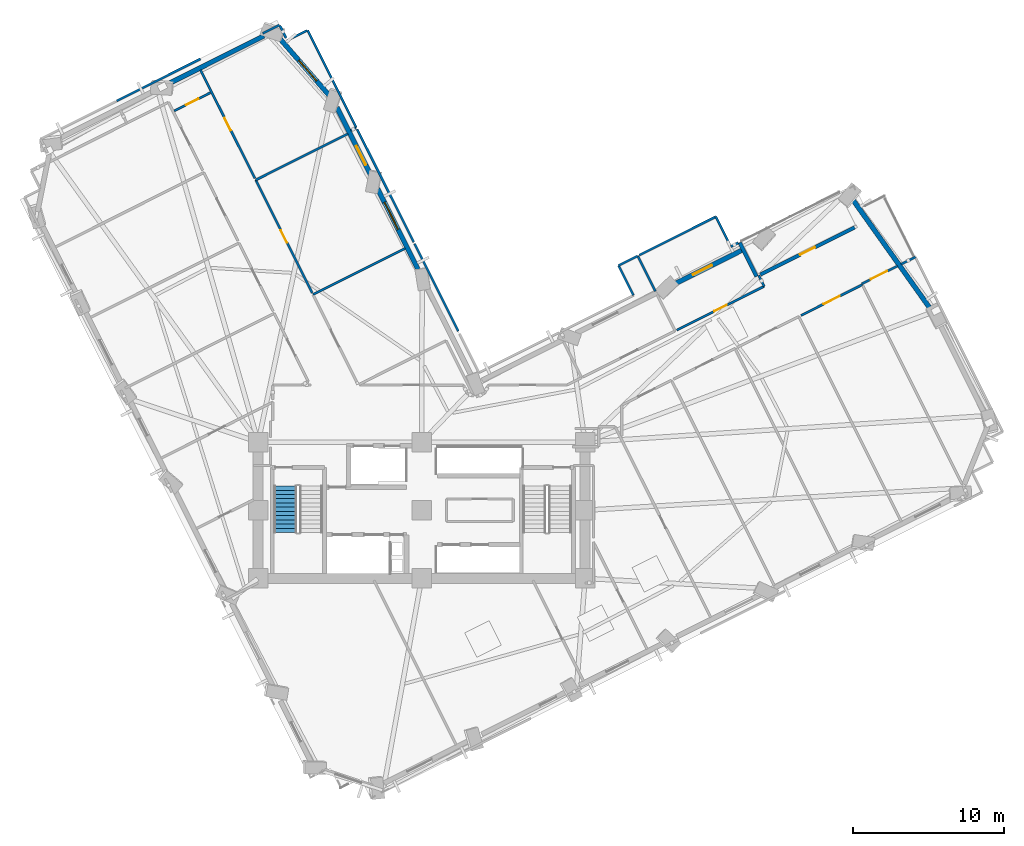
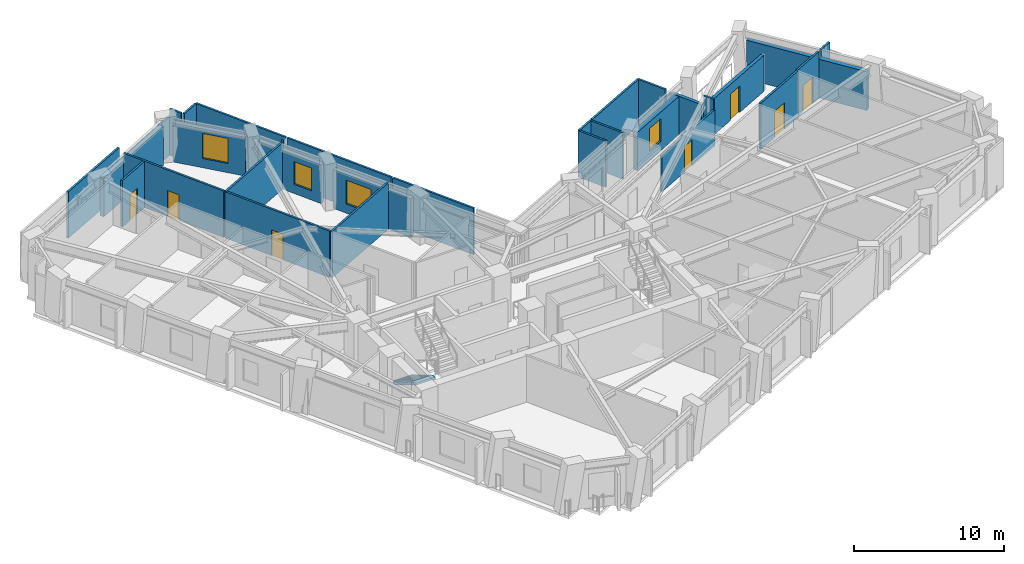
# One storey, part 11 of 16: 32 walls, 7 doors, 4 windows, 1 stair flight, 11 openings, 1 element without a shape of its own.
"""IFC4 building model written with IfcOpenShell, lengths in metres."""

from ifc_helpers import new_model, si_unit, direction, frame, frame_2d, origin, place, context, subcontext, project, spatial, polyline, rectangle, outline, extrude, material, layer, layer_set, type_object, element, fill, aggregate, save


model = new_model("IFC4")

# Units and contexts
model_context = context("Model", 3, precision=1e-05, world=origin(), true_north=direction((0.0, 1.0)))
body_context = subcontext(model_context, "Body", "Model", "MODEL_VIEW")
ifc_project = project(units=[si_unit("LENGTHUNIT", "METRE"), si_unit("AREAUNIT", "SQUARE_METRE"), si_unit("VOLUMEUNIT", "CUBIC_METRE"), si_unit("PLANEANGLEUNIT", "RADIAN"), si_unit("MASSUNIT", "GRAM", prefix="KILO")], contexts=[model_context])

# Site, building, storey
site_placement = place(None, origin())
site = spatial("IfcSite", under=ifc_project, at=site_placement, CompositionType="ELEMENT")
building_placement = place(site_placement, origin())
building = spatial("IfcBuilding", under=site, at=building_placement, Name="Gaonmaruhae Medical Tower", CompositionType="ELEMENT")
storey_placement = place(building_placement, frame((0.0, 0.0, 136.39990234375)))
storey = spatial("IfcBuildingStorey", under=building, at=storey_placement, Name="L32", CompositionType="ELEMENT", Elevation=136.39990234375)

# Wall, opening, door
ifc_material_1 = material(Name="Precast concrete C45/55", Category="concrete")
ifc_layer_1 = layer(ifc_material_1, 0.239990234375)
ifc_layer_set_1 = layer_set([ifc_layer_1], Name="Precast concrete C45/55")
wall_type_1 = type_object("IfcWallType", Name="EW-240 Ribbon & Shelter Insulated Precast Wall", PredefinedType="SOLIDWALL", material=ifc_layer_set_1)
wall_1_placement = place(storey_placement, frame((47.1845703125, 27.8671875, 0.0), z_axis=(0.0, 0.0, 1.0), x_axis=(0.894146388343, 0.447774760581, 0.0)))
wall_1 = element("IfcWall", 1, at=wall_1_placement, inside=storey, type_object=wall_type_1, Name="L32 Recessed Terrace Enclosure Wall TERB", PredefinedType="SOLIDWALL", context=body_context, shape_type="SweptSolid", body=[
    extrude(rectangle(XDim=6.9599609375, YDim=0.239990234375, at=frame_2d((3.47998046875, 0.0))), origin(), (0.0, 0.0, 1.0), 2.945068359375),
])
opening_1_placement = place(wall_1_placement, frame((2.929931640625, 0.0, 0.0)))
opening_1 = element("IfcOpeningElement", 2, at=opening_1_placement, cuts=wall_1, Name="Opening TD-01", PredefinedType="OPENING", context=body_context, shape_type="SweptSolid", body=[
    extrude(rectangle(XDim=1.10009765625, YDim=2.14990234375, at=frame_2d((0.550048828125, 1.074951171875))), frame((0.0, 0.1298828125, 0.0), z_axis=(0.0, -1.0, 0.0), x_axis=(1.0, 0.0, 0.0)), (0.0, 0.0, 1.0), 0.260009765625),
])
ifc_material_2 = material(Name="Anodised aluminium and toughened safety glass", Category="aluminium")
door_type_1 = type_object("IfcDoorType", Name="TD-01 Terrace & Sky Garden Glazed Door 1100x2150", OperationType="NOTDEFINED", PredefinedType="DOOR", material=ifc_material_2)
door_1_placement = place(opening_1_placement, origin())
door_1 = element("IfcDoor", 3, at=door_1_placement, inside=storey, type_object=door_type_1, Name="L32 Outdoor Terrace Access Door SLB-L32-TER", OperationType="SINGLE_SWING_RIGHT", OverallHeight=2.14990234375, OverallWidth=1.10009765625, PredefinedType="DOOR", context=body_context, shape_type="SweptSolid", body=[
    extrude(rectangle(XDim=1.10009765625, YDim=2.14990234375, at=frame_2d((0.550048828125, 1.074951171875))), frame((0.0, 0.02490234375, 0.0), z_axis=(0.0, -1.0, 0.0), x_axis=(1.0, 0.0, 0.0)), (0.0, 0.0, 1.0), 0.050048828125),
])
fill(opening_1, door_1)

# Walls
wall_2_placement = place(storey_placement, frame((45.814697265625, 29.977294921875, 0.0), z_axis=(0.0, 0.0, 1.0), x_axis=(0.447760394829, -0.894153582346, 0.0)))
element("IfcWall", 4, at=wall_2_placement, inside=storey, type_object=wall_type_1, Name="L32 Recessed Terrace Enclosure Wall TERL", PredefinedType="SOLIDWALL", context=body_context, shape_type="SweptSolid", body=[
    extrude(rectangle(XDim=2.5, YDim=0.239990234375, at=frame_2d((1.25, 0.0))), origin(), (0.0, 0.0, 1.0), 3.1650390625),
])
ifc_layer_2 = layer(ifc_material_1, 0.320068359375)
ifc_layer_set_2 = layer_set([ifc_layer_2], Name="Precast concrete C45/55")
wall_type_2 = type_object("IfcWallType", Name="EW-320 Lower Precast Masonry-Frame Facade Wall", PredefinedType="SOLIDWALL", material=ifc_layer_set_2)
wall_3_placement = place(storey_placement, frame((53.302978515625, 32.7998046875, 0.0), z_axis=(0.0, 0.0, 1.0), x_axis=(0.579127420341, -0.815237039768, 0.0)))
element("IfcWall", 5, at=wall_3_placement, inside=storey, type_object=wall_type_2, Name="L32 Precast Masonry-Frame Wall E02-E03", PredefinedType="SOLIDWALL", context=body_context, shape_type="SweptSolid", body=[
    extrude(rectangle(XDim=8.837646484375, YDim=0.320068359375, at=frame_2d((4.4189453125, 0.0))), origin(), (0.0, 0.0, 1.0), 3.1650390625),
])

# Wall, opening, window
wall_4_placement = place(storey_placement, frame((41.44970703125, 27.220947265625, 0.0), z_axis=(0.0, 0.0, 1.0), x_axis=(0.894150296452, 0.447766956523, 0.0)))
wall_4 = element("IfcWall", 6, at=wall_4_placement, inside=storey, type_object=wall_type_2, Name="L32 Precast Masonry-Frame Wall EN01-EN02", PredefinedType="SOLIDWALL", context=body_context, shape_type="SweptSolid", body=[
    extrude(rectangle(XDim=5.1171875, YDim=0.320068359375, at=frame_2d((2.55859375, 0.0))), origin(), (0.0, 0.0, 1.0), 3.14501953125),
])
opening_2_placement = place(wall_4_placement, frame((1.444580078125, 0.0, 0.75)))
opening_2 = element("IfcOpeningElement", 7, at=opening_2_placement, cuts=wall_4, Name="Opening WN-03", PredefinedType="OPENING", context=body_context, shape_type="SweptSolid", body=[
    extrude(rectangle(XDim=1.39990234375, YDim=1.85009765625, at=frame_2d((0.699951171875, 0.925048828125))), frame((0.0, 0.169921875, 0.0), z_axis=(0.0, -1.0, 0.0), x_axis=(1.0, 0.0, 0.0)), (0.0, 0.0, 1.0), 0.340087890625),
])
ifc_material_3 = material(Name="Anodised aluminium and Low-E double glazing", Category="aluminium")
window_type_1 = type_object("IfcWindowType", Name="WN-03 Isolation Ward Punched Window 1400x1850", PartitioningType="SINGLE_PANEL", PredefinedType="WINDOW", material=ifc_material_3)
window_1_placement = place(opening_2_placement, origin())
window_1 = element("IfcWindow", 8, at=window_1_placement, inside=storey, type_object=window_type_1, Name="L32 Modular Facade Window EN01", OverallHeight=1.85009765625, OverallWidth=1.39990234375, PartitioningType="SINGLE_PANEL", PredefinedType="WINDOW", context=body_context, shape_type="SweptSolid", body=[
    extrude(rectangle(XDim=1.39990234375, YDim=1.85009765625, at=frame_2d((0.699951171875, 0.925048828125))), frame((0.0, 0.030029296875, 0.0), z_axis=(0.0, -1.0, 0.0), x_axis=(1.0, 0.0, 0.0)), (0.0, 0.0, 1.0), 0.06005859375),
])
fill(opening_2, window_1)

wall_5_placement = place(storey_placement, frame((21.89501953125, 33.546142578125, 0.0), z_axis=(0.0, 0.0, 1.0), x_axis=(0.447731401231, -0.894168100724, 0.0)))
wall_5 = element("IfcWall", 9, at=wall_5_placement, inside=storey, type_object=wall_type_2, Name="L32 Precast Masonry-Frame Wall NE01-NE02", PredefinedType="SOLIDWALL", context=body_context, shape_type="SweptSolid", body=[
    extrude(rectangle(XDim=6.22265625, YDim=0.320068359375, at=frame_2d((3.111328125, 0.0))), origin(), (0.0, 0.0, 1.0), 3.1650390625),
])
opening_3_placement = place(wall_5_placement, frame((1.0087890625, 0.0, 0.75)))
opening_3 = element("IfcOpeningElement", 10, at=opening_3_placement, cuts=wall_5, Name="Opening WN-02", PredefinedType="OPENING", context=body_context, shape_type="SweptSolid", body=[
    extrude(rectangle(XDim=2.0, YDim=1.949951171875, at=frame_2d((1.0, 0.97509765625))), frame((0.0, 0.169921875, 0.0), z_axis=(0.0, -1.0, 0.0), x_axis=(1.0, 0.0, 0.0)), (0.0, 0.0, 1.0), 0.340087890625),
])
window_type_2 = type_object("IfcWindowType", Name="WN-02 Double-Bed Ward Punched Window 2000x1950", PartitioningType="SINGLE_PANEL", PredefinedType="WINDOW", material=ifc_material_3)
window_2_placement = place(opening_3_placement, origin())
window_2 = element("IfcWindow", 11, at=window_2_placement, inside=storey, type_object=window_type_2, Name="L32 Modular Facade Window NE01", OverallHeight=1.949951171875, OverallWidth=2.0, PartitioningType="SINGLE_PANEL", PredefinedType="WINDOW", context=body_context, shape_type="SweptSolid", body=[
    extrude(rectangle(XDim=2.0, YDim=1.949951171875, at=frame_2d((1.0, 0.97509765625))), frame((0.0, 0.030029296875, 0.0), z_axis=(0.0, -1.0, 0.0), x_axis=(1.0, 0.0, 0.0)), (0.0, 0.0, 1.0), 0.06005859375),
])
fill(opening_3, window_2)

wall_6_placement = place(storey_placement, frame((19.2021484375, 38.923583984375, 0.0), z_axis=(0.0, 0.0, 1.0), x_axis=(0.447755250405, -0.894156158473, 0.0)))
wall_6 = element("IfcWall", 12, at=wall_6_placement, inside=storey, type_object=wall_type_2, Name="L32 Precast Masonry-Frame Wall NE02-NE03", PredefinedType="SOLIDWALL", context=body_context, shape_type="SweptSolid", body=[
    extrude(rectangle(XDim=5.04736328125, YDim=0.320068359375, at=frame_2d((2.523681640625, 0.0))), origin(), (0.0, 0.0, 1.0), 3.1650390625),
])
opening_4_placement = place(wall_6_placement, frame((2.873291015625, 0.0, 0.75)))
opening_4 = element("IfcOpeningElement", 13, at=opening_4_placement, cuts=wall_6, Name="Opening WN-03", PredefinedType="OPENING", context=body_context, shape_type="SweptSolid", body=[
    extrude(rectangle(XDim=1.39990234375, YDim=1.85009765625, at=frame_2d((0.699951171875, 0.925048828125))), frame((0.0, 0.169921875, 0.0), z_axis=(0.0, -1.0, 0.0), x_axis=(1.0, 0.0, 0.0)), (0.0, 0.0, 1.0), 0.340087890625),
])
window_3_placement = place(opening_4_placement, origin())
window_3 = element("IfcWindow", 14, at=window_3_placement, inside=storey, type_object=window_type_1, Name="L32 Modular Facade Window NE02", OverallHeight=1.85009765625, OverallWidth=1.39990234375, PartitioningType="SINGLE_PANEL", PredefinedType="WINDOW", context=body_context, shape_type="SweptSolid", body=[
    extrude(rectangle(XDim=1.39990234375, YDim=1.85009765625, at=frame_2d((0.699951171875, 0.925048828125))), frame((0.0, 0.030029296875, 0.0), z_axis=(0.0, -1.0, 0.0), x_axis=(1.0, 0.0, 0.0)), (0.0, 0.0, 1.0), 0.06005859375),
])
fill(opening_4, window_3)

wall_7_placement = place(storey_placement, frame((15.30712890625, 43.605712890625, 0.0), z_axis=(0.0, 0.0, 1.0), x_axis=(0.655814474574, -0.75492209859, 0.0)))
wall_7 = element("IfcWall", 15, at=wall_7_placement, inside=storey, type_object=wall_type_2, Name="L32 Precast Masonry-Frame Wall NE03-N01", PredefinedType="SOLIDWALL", context=body_context, shape_type="SweptSolid", body=[
    extrude(rectangle(XDim=5.128662109375, YDim=0.320068359375, at=frame_2d((2.564453125, 0.0))), origin(), (0.0, 0.0, 1.0), 3.1650390625),
])
opening_5_placement = place(wall_7_placement, frame((2.093505859375, 0.0, 0.75)))
opening_5 = element("IfcOpeningElement", 16, at=opening_5_placement, cuts=wall_7, Name="Opening WN-04", PredefinedType="OPENING", context=body_context, shape_type="SweptSolid", body=[
    extrude(rectangle(XDim=1.800048828125, YDim=2.050048828125, at=frame_2d((0.89990234375, 1.02490234375))), frame((0.0, 0.169921875, 0.0), z_axis=(0.0, -1.0, 0.0), x_axis=(1.0, 0.0, 0.0)), (0.0, 0.0, 1.0), 0.340087890625),
])
window_type_3 = type_object("IfcWindowType", Name="WN-04 Clinic & Consult Punched Window 1800x2050", PartitioningType="SINGLE_PANEL", PredefinedType="WINDOW", material=ifc_material_3)
window_4_placement = place(opening_5_placement, origin())
window_4 = element("IfcWindow", 17, at=window_4_placement, inside=storey, type_object=window_type_3, Name="L32 Modular Facade Window NE03", OverallHeight=2.050048828125, OverallWidth=1.800048828125, PartitioningType="SINGLE_PANEL", PredefinedType="WINDOW", context=body_context, shape_type="SweptSolid", body=[
    extrude(rectangle(XDim=1.800048828125, YDim=2.050048828125, at=frame_2d((0.89990234375, 1.02490234375))), frame((0.0, 0.030029296875, 0.0), z_axis=(0.0, -1.0, 0.0), x_axis=(1.0, 0.0, 0.0)), (0.0, 0.0, 1.0), 0.06005859375),
])
fill(opening_5, window_4)

# Wall
wall_8_placement = place(storey_placement, frame((7.91357421875, 40.39990234375, 0.0), z_axis=(0.0, 0.0, 1.0), x_axis=(0.894156910211, 0.4477537492, 0.0)))
element("IfcWall", 18, at=wall_8_placement, inside=storey, type_object=wall_type_2, Name="L32 Precast Masonry-Frame Wall N01-N02", PredefinedType="SOLIDWALL", context=body_context, shape_type="SweptSolid", body=[
    extrude(rectangle(XDim=7.230712890625, YDim=0.320068359375, at=frame_2d((3.615234375, 0.0))), origin(), (0.0, 0.0, 1.0), 3.1650390625),
])

# Wall, opening, door
ifc_material_4 = material(Name="Gypsum board partition", Category="gypsum")
ifc_layer_3 = layer(ifc_material_4, 0.14990234375)
ifc_layer_set_3 = layer_set([ifc_layer_3], Name="Gypsum board partition")
wall_type_3 = type_object("IfcWallType", Name="PW-150 Rated Clinical Corridor Partition", PredefinedType="PARTITIONING", material=ifc_layer_set_3)
wall_9_placement = place(storey_placement, frame((49.85595703125, 25.16796875, 0.0), z_axis=(0.0, 0.0, 1.0), x_axis=(0.894125827082, 0.447815816319, 0.0)))
wall_9 = element("IfcWall", 19, at=wall_9_placement, inside=storey, type_object=wall_type_3, Name="L32 Interior Partition L32-SUP10-31", PredefinedType="PARTITIONING", context=body_context, shape_type="SweptSolid", body=[
    extrude(rectangle(XDim=4.539794921875, YDim=0.14990234375, at=frame_2d((2.27001953125, 0.0))), origin(), (0.0, 0.0, 1.0), 3.780029296875),
])
opening_6_placement = place(wall_9_placement, frame((1.669921875, 0.0, 0.0)))
opening_6 = element("IfcOpeningElement", 20, at=opening_6_placement, cuts=wall_9, Name="Opening CD-02", PredefinedType="OPENING", context=body_context, shape_type="SweptSolid", body=[
    extrude(rectangle(XDim=1.199951171875, YDim=2.14990234375, at=frame_2d((0.60009765625, 1.074951171875))), frame((0.0, 0.0849609375, 0.0), z_axis=(0.0, -1.0, 0.0), x_axis=(1.0, 0.0, 0.0)), (0.0, 0.0, 1.0), 0.169921875),
])
ifc_material_5 = material(Name="Antimicrobial laminate timber fire door", Category="wood")
door_type_2 = type_object("IfcDoorType", Name="CD-02 Clinical Treatment & Procedure Door 1200x2150", OperationType="NOTDEFINED", PredefinedType="DOOR", material=ifc_material_5)
door_2_placement = place(opening_6_placement, origin())
door_2 = element("IfcDoor", 21, at=door_2_placement, inside=storey, type_object=door_type_2, Name="L32 Clinical Biomedical Charting Office Door", OperationType="SINGLE_SWING_RIGHT", OverallHeight=2.14990234375, OverallWidth=1.199951171875, PredefinedType="DOOR", context=body_context, shape_type="SweptSolid", body=[
    extrude(rectangle(XDim=1.199951171875, YDim=2.14990234375, at=frame_2d((0.60009765625, 1.074951171875))), frame((0.0, 0.02490234375, 0.0), z_axis=(0.0, -1.0, 0.0), x_axis=(1.0, 0.0, 0.0)), (0.0, 0.0, 1.0), 0.050048828125),
])
fill(opening_6, door_2)

# Walls
wall_10_placement = place(storey_placement, frame((37.802001953125, 28.469970703125, 0.0), z_axis=(0.0, 0.0, 1.0), x_axis=(0.894289935255, 0.447488001741, 0.0)))
element("IfcWall", 22, at=wall_10_placement, inside=storey, type_object=wall_type_3, Name="L32 Interior Partition L32-IE03-73", PredefinedType="PARTITIONING", context=body_context, shape_type="SweptSolid", body=[
    extrude(rectangle(XDim=1.42333984375, YDim=0.14990234375, at=frame_2d((0.711669921875, 0.0))), origin(), (0.0, 0.0, 1.0), 3.780029296875),
])
wall_11_placement = place(storey_placement, frame((39.074951171875, 29.10693359375, 0.0), z_axis=(0.0, 0.0, 1.0), x_axis=(0.447885717917, -0.894090814004, 0.0)))
element("IfcWall", 23, at=wall_11_placement, inside=storey, type_object=wall_type_3, Name="L32 Interior Partition L32-IE03-74", PredefinedType="PARTITIONING", context=body_context, shape_type="SweptSolid", body=[
    extrude(rectangle(XDim=2.61474609375, YDim=0.14990234375, at=frame_2d((1.307373046875, 0.0))), origin(), (0.0, 0.0, 1.0), 3.780029296875),
])
wall_12_placement = place(storey_placement, frame((38.787109375, 26.5029296875, 0.0), z_axis=(0.0, 0.0, 1.0), x_axis=(-0.447790580738, 0.894138465677, 0.0)))
element("IfcWall", 24, at=wall_12_placement, inside=storey, type_object=wall_type_3, Name="L32 Interior Partition L32-IE03-79", PredefinedType="PARTITIONING", context=body_context, shape_type="SweptSolid", body=[
    extrude(rectangle(XDim=2.199951171875, YDim=0.14990234375, at=frame_2d((1.10009765625, 0.0))), origin(), (0.0, 0.0, 1.0), 3.780029296875),
])
wall_13_placement = place(storey_placement, frame((47.076904296875, 27.81298828125, 0.0), z_axis=(0.0, 0.0, 1.0), x_axis=(0.447824021677, -0.894121717446, 0.0)))
element("IfcWall", 25, at=wall_13_placement, inside=storey, type_object=wall_type_3, Name="L32 Interior Partition L32-IE04-80", PredefinedType="PARTITIONING", context=body_context, shape_type="SweptSolid", body=[
    extrude(rectangle(XDim=0.7998046875, YDim=0.14990234375, at=frame_2d((0.39990234375, 0.0))), origin(), (0.0, 0.0, 1.0), 3.780029296875),
])

# Wall, opening, door
wall_14_placement = place(storey_placement, frame((47.43505859375, 27.097900390625, 0.0), z_axis=(0.0, 0.0, 1.0), x_axis=(-0.894124431729, -0.447818602322, 0.0)))
wall_14 = element("IfcWall", 26, at=wall_14_placement, inside=storey, type_object=wall_type_3, Name="L32 Interior Partition L32-IE04-81", PredefinedType="PARTITIONING", context=body_context, shape_type="SweptSolid", body=[
    extrude(rectangle(XDim=6.45556640625, YDim=0.14990234375, at=frame_2d((3.227783203125, 0.0))), origin(), (0.0, 0.0, 1.0), 2.945068359375),
])
opening_7_placement = place(wall_14_placement, frame((2.767822265625, 0.0, 0.0)))
opening_7 = element("IfcOpeningElement", 27, at=opening_7_placement, cuts=wall_14, Name="Opening UD-01", PredefinedType="OPENING", context=body_context, shape_type="SweptSolid", body=[
    extrude(rectangle(XDim=0.919921875, YDim=2.10009765625, at=frame_2d((0.4599609375, 1.050048828125))), frame((0.0, 0.0849609375, 0.0), z_axis=(0.0, -1.0, 0.0), x_axis=(1.0, 0.0, 0.0)), (0.0, 0.0, 1.0), 0.169921875),
])
ifc_material_6 = material(Name="Powder-coated steel utility door", Category="steel")
door_type_3 = type_object("IfcDoorType", Name="UD-01 Toilet, Utility & Housekeeping Door 920x2100", OperationType="NOTDEFINED", PredefinedType="DOOR", material=ifc_material_6)
door_3_placement = place(opening_7_placement, origin())
door_3 = element("IfcDoor", 28, at=door_3_placement, inside=storey, type_object=door_type_3, Name="L32 Accessible Public Toilet Door", OperationType="SINGLE_SWING_RIGHT", OverallHeight=2.10009765625, OverallWidth=0.919921875, PredefinedType="DOOR", context=body_context, shape_type="SweptSolid", body=[
    extrude(rectangle(XDim=0.919921875, YDim=2.10009765625, at=frame_2d((0.4599609375, 1.050048828125))), frame((0.0, 0.02490234375, 0.0), z_axis=(0.0, -1.0, 0.0), x_axis=(1.0, 0.0, 0.0)), (0.0, 0.0, 1.0), 0.050048828125),
])
fill(opening_7, door_3)

# Walls
wall_15_placement = place(storey_placement, frame((39.181884765625, 29.160888671875, 0.0), z_axis=(0.0, 0.0, 1.0), x_axis=(0.894098904037, 0.447869567843, 0.0)))
element("IfcWall", 29, at=wall_15_placement, inside=storey, type_object=wall_type_3, Name="L32 Interior Partition L32-IE04-82", PredefinedType="PARTITIONING", context=body_context, shape_type="SweptSolid", body=[
    extrude(rectangle(XDim=5.656005859375, YDim=0.14990234375, at=frame_2d((2.828125, 0.0))), origin(), (0.0, 0.0, 1.0), 3.780029296875),
])
wall_16_placement = place(storey_placement, frame((44.239013671875, 31.694091796875, 0.0), z_axis=(0.0, 0.0, 1.0), x_axis=(0.447967628114, -0.894049777228, 0.0)))
element("IfcWall", 30, at=wall_16_placement, inside=storey, type_object=wall_type_3, Name="L32 Interior Partition L32-IE04-83", PredefinedType="PARTITIONING", context=body_context, shape_type="SweptSolid", body=[
    extrude(rectangle(XDim=2.201171875, YDim=0.14990234375, at=frame_2d((1.1005859375, 0.0))), origin(), (0.0, 0.0, 1.0), 3.780029296875),
])
wall_17_placement = place(storey_placement, frame((45.22509765625, 29.72607421875, 0.0), z_axis=(0.0, 0.0, 1.0), x_axis=(0.893985717216, 0.448095455694, 0.0)))
element("IfcWall", 31, at=wall_17_placement, inside=storey, type_object=wall_type_3, Name="L32 Interior Partition L32-IE04-84", PredefinedType="PARTITIONING", context=body_context, shape_type="SweptSolid", body=[
    extrude(rectangle(XDim=0.553466796875, YDim=0.14990234375, at=frame_2d((0.27685546875, 0.0))), origin(), (0.0, 0.0, 1.0), 3.14501953125),
])
wall_18_placement = place(storey_placement, frame((17.6240234375, 26.552001953125, 0.0), z_axis=(0.0, 0.0, 1.0), x_axis=(0.894190630835, 0.447686403331, 0.0)))
element("IfcWall", 32, at=wall_18_placement, inside=storey, type_object=wall_type_3, Name="L32 Interior Partition L32-IN01-86", PredefinedType="PARTITIONING", context=body_context, shape_type="SweptSolid", body=[
    extrude(rectangle(XDim=6.815185546875, YDim=0.14990234375, at=frame_2d((3.40771484375, 0.0))), origin(), (0.0, 0.0, 1.0), 3.780029296875),
])
wall_19_placement = place(storey_placement, frame((24.3310546875, 29.909912109375, 0.0), z_axis=(0.0, 0.0, 1.0), x_axis=(0.447697322881, -0.894185163758, 0.0)))
element("IfcWall", 33, at=wall_19_placement, inside=storey, type_object=wall_type_3, Name="L32 Interior Partition L32-IN01-87", PredefinedType="PARTITIONING", context=body_context, shape_type="SweptSolid", body=[
    extrude(rectangle(XDim=6.45947265625, YDim=0.14990234375, at=frame_2d((3.229736328125, 0.0))), origin(), (0.0, 0.0, 1.0), 3.780029296875),
])

# Wall, opening, door
wall_20_placement = place(storey_placement, frame((17.571044921875, 26.659912109375, 0.0), z_axis=(0.0, 0.0, 1.0), x_axis=(-0.447845777943, 0.894110820412, 0.0)))
wall_20 = element("IfcWall", 34, at=wall_20_placement, inside=storey, type_object=wall_type_3, Name="L32 Interior Partition L32-IN02-88", PredefinedType="PARTITIONING", context=body_context, shape_type="SweptSolid", body=[
    extrude(rectangle(XDim=8.340087890625, YDim=0.14990234375, at=frame_2d((4.169921875, 0.0))), origin(), (0.0, 0.0, 1.0), 3.780029296875),
])
opening_8_placement = place(wall_20_placement, frame((3.7099609375, 0.0, 0.0)))
opening_8 = element("IfcOpeningElement", 35, at=opening_8_placement, cuts=wall_20, Name="Opening UD-01", PredefinedType="OPENING", context=body_context, shape_type="SweptSolid", body=[
    extrude(rectangle(XDim=0.919921875, YDim=2.10009765625, at=frame_2d((0.4599609375, 1.050048828125))), frame((0.0, 0.0849609375, 0.0), z_axis=(0.0, -1.0, 0.0), x_axis=(1.0, 0.0, 0.0)), (0.0, 0.0, 1.0), 0.169921875),
])
door_4_placement = place(opening_8_placement, origin())
door_4 = element("IfcDoor", 36, at=door_4_placement, inside=storey, type_object=door_type_3, Name="L32 Ward Nutrition Pantry Door", OperationType="SINGLE_SWING_RIGHT", OverallHeight=2.10009765625, OverallWidth=0.919921875, PredefinedType="DOOR", context=body_context, shape_type="SweptSolid", body=[
    extrude(rectangle(XDim=0.919921875, YDim=2.10009765625, at=frame_2d((0.4599609375, 1.050048828125))), frame((0.0, 0.02490234375, 0.0), z_axis=(0.0, -1.0, 0.0), x_axis=(1.0, 0.0, 0.0)), (0.0, 0.0, 1.0), 0.050048828125),
])
fill(opening_8, door_4)

# Walls
wall_21_placement = place(storey_placement, frame((13.8359375, 34.116943359375, 0.0), z_axis=(0.0, 0.0, 1.0), x_axis=(0.894190630835, 0.447686403331, 0.0)))
element("IfcWall", 37, at=wall_21_placement, inside=storey, type_object=wall_type_3, Name="L32 Interior Partition L32-IN02-89", PredefinedType="PARTITIONING", context=body_context, shape_type="SweptSolid", body=[
    extrude(rectangle(XDim=6.815185546875, YDim=0.14990234375, at=frame_2d((3.40771484375, 0.0))), origin(), (0.0, 0.0, 1.0), 3.780029296875),
])
wall_22_placement = place(storey_placement, frame((20.54296875, 37.47509765625, 0.0), z_axis=(0.0, 0.0, 1.0), x_axis=(0.447752163622, -0.894157704195, 0.0)))
element("IfcWall", 38, at=wall_22_placement, inside=storey, type_object=wall_type_3, Name="L32 Interior Partition L32-IN02-90", PredefinedType="PARTITIONING", context=body_context, shape_type="SweptSolid", body=[
    extrude(rectangle(XDim=8.33984375, YDim=0.14990234375, at=frame_2d((4.169921875, 0.0))), origin(), (0.0, 0.0, 1.0), 3.780029296875),
])
wall_23_placement = place(storey_placement, frame((17.264892578125, 44.02001953125, 0.0), z_axis=(0.0, 0.0, 1.0), x_axis=(0.447783151699, -0.894142186151, 0.0)))
element("IfcWall", 39, at=wall_23_placement, inside=storey, type_object=wall_type_3, Name="L32 Interior Partition L32-IN03-91", PredefinedType="PARTITIONING", context=body_context, shape_type="SweptSolid", body=[
    extrude(rectangle(XDim=7.2001953125, YDim=0.14990234375, at=frame_2d((3.60009765625, 0.0))), origin(), (0.0, 0.0, 1.0), 3.780029296875),
])
wall_24_placement = place(storey_placement, frame((20.444091796875, 37.56005859375, 0.0), z_axis=(0.0, 0.0, 1.0), x_axis=(-0.893354745545, -0.44935208758, 0.0)))
element("IfcWall", 40, at=wall_24_placement, inside=storey, type_object=wall_type_3, Name="L32 Interior Partition L32-IN03-92", PredefinedType="PARTITIONING", context=body_context, shape_type="SweptSolid", body=[
    extrude(rectangle(XDim=0.364990234375, YDim=0.14990234375, at=frame_2d((0.1826171875, 0.0))), origin(), (0.0, 0.0, 1.0), 3.780029296875),
])

# Wall, opening, door
wall_25_placement = place(storey_placement, frame((13.782958984375, 34.22412109375, 0.0), z_axis=(0.0, 0.0, 1.0), x_axis=(-0.447846999207, 0.8941102087, 0.0)))
wall_25 = element("IfcWall", 41, at=wall_25_placement, inside=storey, type_object=wall_type_3, Name="L32 Interior Partition L32-IN03-93", PredefinedType="PARTITIONING", context=body_context, shape_type="SweptSolid", body=[
    extrude(rectangle(XDim=8.015869140625, YDim=0.14990234375, at=frame_2d((4.0078125, 0.0))), origin(), (0.0, 0.0, 1.0), 3.780029296875),
])
opening_9_placement = place(wall_25_placement, frame((3.5478515625, 0.0, 0.0)))
opening_9 = element("IfcOpeningElement", 42, at=opening_9_placement, cuts=wall_25, Name="Opening UD-01", PredefinedType="OPENING", context=body_context, shape_type="SweptSolid", body=[
    extrude(rectangle(XDim=0.919921875, YDim=2.10009765625, at=frame_2d((0.4599609375, 1.050048828125))), frame((0.0, 0.0849609375, 0.0), z_axis=(0.0, -1.0, 0.0), x_axis=(1.0, 0.0, 0.0)), (0.0, 0.0, 1.0), 0.169921875),
])
door_5_placement = place(opening_9_placement, origin())
door_5 = element("IfcDoor", 43, at=door_5_placement, inside=storey, type_object=door_type_3, Name="L32 Public Visitor Toilet Door", OperationType="SINGLE_SWING_RIGHT", OverallHeight=2.10009765625, OverallWidth=0.919921875, PredefinedType="DOOR", context=body_context, shape_type="SweptSolid", body=[
    extrude(rectangle(XDim=0.919921875, YDim=2.10009765625, at=frame_2d((0.4599609375, 1.050048828125))), frame((0.0, 0.02490234375, 0.0), z_axis=(0.0, -1.0, 0.0), x_axis=(1.0, 0.0, 0.0)), (0.0, 0.0, 1.0), 0.050048828125),
])
fill(opening_9, door_5)

# Walls
wall_26_placement = place(storey_placement, frame((14.2939453125, 43.806884765625, 0.0), z_axis=(0.0, 0.0, 1.0), x_axis=(0.893958659978, 0.448149432947, 0.0)))
element("IfcWall", 44, at=wall_26_placement, inside=storey, type_object=wall_type_3, Name="L32 Interior Partition L32-IN03-94", PredefinedType="PARTITIONING", context=body_context, shape_type="SweptSolid", body=[
    extrude(rectangle(XDim=1.251953125, YDim=0.14990234375, at=frame_2d((0.6259765625, 0.0))), origin(), (0.0, 0.0, 1.0), 3.1650390625),
])
wall_27_placement = place(storey_placement, frame((15.43505859375, 44.322998046875, 0.0), z_axis=(0.0, 0.0, 1.0), x_axis=(0.448809122045, -0.893627647272, 0.0)))
element("IfcWall", 45, at=wall_27_placement, inside=storey, type_object=wall_type_3, Name="L32 Interior Partition L32-IN03-95", PredefinedType="PARTITIONING", context=body_context, shape_type="SweptSolid", body=[
    extrude(rectangle(XDim=0.917724609375, YDim=0.14990234375, at=frame_2d((0.458984375, 0.0))), origin(), (0.0, 0.0, 1.0), 3.780029296875),
])
wall_28_placement = place(storey_placement, frame((15.924072265625, 43.34912109375, 0.0), z_axis=(0.0, 0.0, 1.0), x_axis=(0.894157501055, 0.447752569292, 0.0)))
element("IfcWall", 46, at=wall_28_placement, inside=storey, type_object=wall_type_3, Name="L32 Interior Partition L32-IN03-96", PredefinedType="PARTITIONING", context=body_context, shape_type="SweptSolid", body=[
    extrude(rectangle(XDim=1.44921875, YDim=0.14990234375, at=frame_2d((0.724609375, 0.0))), origin(), (0.0, 0.0, 1.0), 3.780029296875),
])
wall_29_placement = place(storey_placement, frame((4.652099609375, 39.347900390625, 0.0), z_axis=(0.0, 0.0, 1.0), x_axis=(0.894119355957, 0.447828736575, 0.0)))
element("IfcWall", 47, at=wall_29_placement, inside=storey, type_object=wall_type_3, Name="L32 Interior Partition L32-RM03-102", PredefinedType="PARTITIONING", context=body_context, shape_type="SweptSolid", body=[
    extrude(rectangle(XDim=6.1904296875, YDim=0.14990234375, at=frame_2d((3.09521484375, 0.0))), origin(), (0.0, 0.0, 1.0), 3.780029296875),
])

# Wall, opening, door
wall_30_placement = place(storey_placement, frame((10.8369140625, 39.884033203125, 0.0), z_axis=(0.0, 0.0, 1.0), x_axis=(-0.892317330031, -0.451408664655, 0.0)))
wall_30 = element("IfcWall", 48, at=wall_30_placement, inside=storey, type_object=wall_type_3, Name="L32 Interior Partition L32-RM03-103", PredefinedType="PARTITIONING", context=body_context, shape_type="SweptSolid", body=[
    extrude(rectangle(XDim=2.673828125, YDim=0.14990234375, at=frame_2d((1.3369140625, 0.0))), origin(), (0.0, 0.0, 1.0), 3.780029296875),
])
opening_10_placement = place(wall_30_placement, frame((0.876953125, 0.0, 0.0)))
opening_10 = element("IfcOpeningElement", 49, at=opening_10_placement, cuts=wall_30, Name="Opening UD-01", PredefinedType="OPENING", context=body_context, shape_type="SweptSolid", body=[
    extrude(rectangle(XDim=0.919921875, YDim=2.10009765625, at=frame_2d((0.4599609375, 1.050048828125))), frame((0.0, 0.0849609375, 0.0), z_axis=(0.0, -1.0, 0.0), x_axis=(1.0, 0.0, 0.0)), (0.0, 0.0, 1.0), 0.169921875),
])
door_6_placement = place(opening_10_placement, origin())
door_6 = element("IfcDoor", 50, at=door_6_placement, inside=storey, type_object=door_type_3, Name="L32 Biomedical Mobile Equipment Bay Door", OperationType="SINGLE_SWING_RIGHT", OverallHeight=2.10009765625, OverallWidth=0.919921875, PredefinedType="DOOR", context=body_context, shape_type="SweptSolid", body=[
    extrude(rectangle(XDim=0.919921875, YDim=2.10009765625, at=frame_2d((0.4599609375, 1.050048828125))), frame((0.0, 0.02490234375, 0.0), z_axis=(0.0, -1.0, 0.0), x_axis=(1.0, 0.0, 0.0)), (0.0, 0.0, 1.0), 0.050048828125),
])
fill(opening_10, door_6)

wall_31_placement = place(storey_placement, frame((53.884033203125, 27.262939453125, 0.0), z_axis=(0.0, 0.0, 1.0), x_axis=(0.894204225312, 0.447659249245, 0.0)))
wall_31 = element("IfcWall", 51, at=wall_31_placement, inside=storey, type_object=wall_type_3, Name="L32 Interior Partition L32-RM05-109", PredefinedType="PARTITIONING", context=body_context, shape_type="SweptSolid", body=[
    extrude(rectangle(XDim=2.629150390625, YDim=0.14990234375, at=frame_2d((1.314453125, 0.0))), origin(), (0.0, 0.0, 1.0), 3.780029296875),
])
opening_11_placement = place(wall_31_placement, frame((0.662353515625, 0.0, 0.0)))
opening_11 = element("IfcOpeningElement", 52, at=opening_11_placement, cuts=wall_31, Name="Opening CD-02", PredefinedType="OPENING", context=body_context, shape_type="SweptSolid", body=[
    extrude(rectangle(XDim=1.199951171875, YDim=2.14990234375, at=frame_2d((0.60009765625, 1.074951171875))), frame((0.0, 0.0849609375, 0.0), z_axis=(0.0, -1.0, 0.0), x_axis=(1.0, 0.0, 0.0)), (0.0, 0.0, 1.0), 0.169921875),
])
door_7_placement = place(opening_11_placement, origin())
door_7 = element("IfcDoor", 53, at=door_7_placement, inside=storey, type_object=door_type_2, Name="L32 Clinical Case Review Office Door", OperationType="SINGLE_SWING_RIGHT", OverallHeight=2.14990234375, OverallWidth=1.199951171875, PredefinedType="DOOR", context=body_context, shape_type="SweptSolid", body=[
    extrude(rectangle(XDim=1.199951171875, YDim=2.14990234375, at=frame_2d((0.60009765625, 1.074951171875))), frame((0.0, 0.02490234375, 0.0), z_axis=(0.0, -1.0, 0.0), x_axis=(1.0, 0.0, 0.0)), (0.0, 0.0, 1.0), 0.050048828125),
])
fill(opening_11, door_7)

# Wall
wall_32_placement = place(storey_placement, frame((56.47900390625, 28.56201171875, 0.0), z_axis=(0.0, 0.0, 1.0), x_axis=(0.894103926572, 0.447859541026, 0.0)))
element("IfcWall", 54, at=wall_32_placement, inside=storey, type_object=wall_type_3, Name="L32 Interior Partition L32-RM05-110", PredefinedType="PARTITIONING", context=body_context, shape_type="SweptSolid", body=[
    extrude(rectangle(XDim=1.05810546875, YDim=0.14990234375, at=frame_2d((0.529052734375, 0.0))), origin(), (0.0, 0.0, 1.0), 3.780029296875),
])

# Stair, stair flight
ifc_material_7 = material(Name="Concrete C40/50", Category="concrete")
stair_type = type_object("IfcStairType", Name="ST-T1 Primary Core Escape Dogleg Stair", PredefinedType="TWO_QUARTER_TURN_STAIR", material=ifc_material_7)
stair_placement = place(storey_placement, origin())
stair = element("IfcStair", 55, at=stair_placement, inside=storey, type_object=stair_type, Name="L32 Protected Escape Stair ST-01", PredefinedType="TWO_QUARTER_TURN_STAIR")
stair_flight_type = type_object("IfcStairFlightType", Name="SF-T1 Primary Core Precast Stair Flight", PredefinedType="STRAIGHT", material=ifc_material_7)
stair_flight_placement = place(storey_placement, frame((15.800048828125, 13.89990234375, 0.0), z_axis=(0.0, 0.0, 1.0), x_axis=(0.0, -1.0, 0.0)))
stair_flight = element("IfcStairFlight", 56, at=stair_flight_placement, type_object=stair_flight_type, Name="ST-01 flight 1", NumberOfRisers=12, NumberOfTreads=11, PredefinedType="STRAIGHT", RiserHeight=0.166666667, TreadLength=0.28, context=body_context, shape_type="SweptSolid", body=[
    extrude(outline(polyline([(0.0, 0.0), (0.0, 0.166748046875), (0.280029296875, 0.166748046875), (0.280029296875, 0.333251953125), (0.56005859375, 0.333251953125), (0.56005859375, 0.5), (0.840087890625, 0.5), (0.840087890625, 0.666748046875), (1.1201171875, 0.666748046875), (1.1201171875, 0.833251953125), (1.39990234375, 0.833251953125), (1.39990234375, 1.0), (1.679931640625, 1.0), (1.679931640625, 1.166748046875), (1.9599609375, 1.166748046875), (1.9599609375, 1.333251953125), (2.239990234375, 1.333251953125), (2.239990234375, 1.5), (2.52001953125, 1.5), (2.52001953125, 1.666748046875), (2.800048828125, 1.666748046875), (2.800048828125, 1.833251953125), (3.080078125, 1.833251953125), (3.080078125, 2.0), (3.080078125, 1.658935546875), (0.29296875, 0.0), (0.0, 0.0)])), frame((0.0, 0.75, 0.0), z_axis=(0.0, -1.0, 0.0), x_axis=(1.0, 0.0, 0.0)), (0.0, 0.0, 1.0), 1.5),
])
aggregate(stair, [stair_flight])

save(model, "model.ifc")
